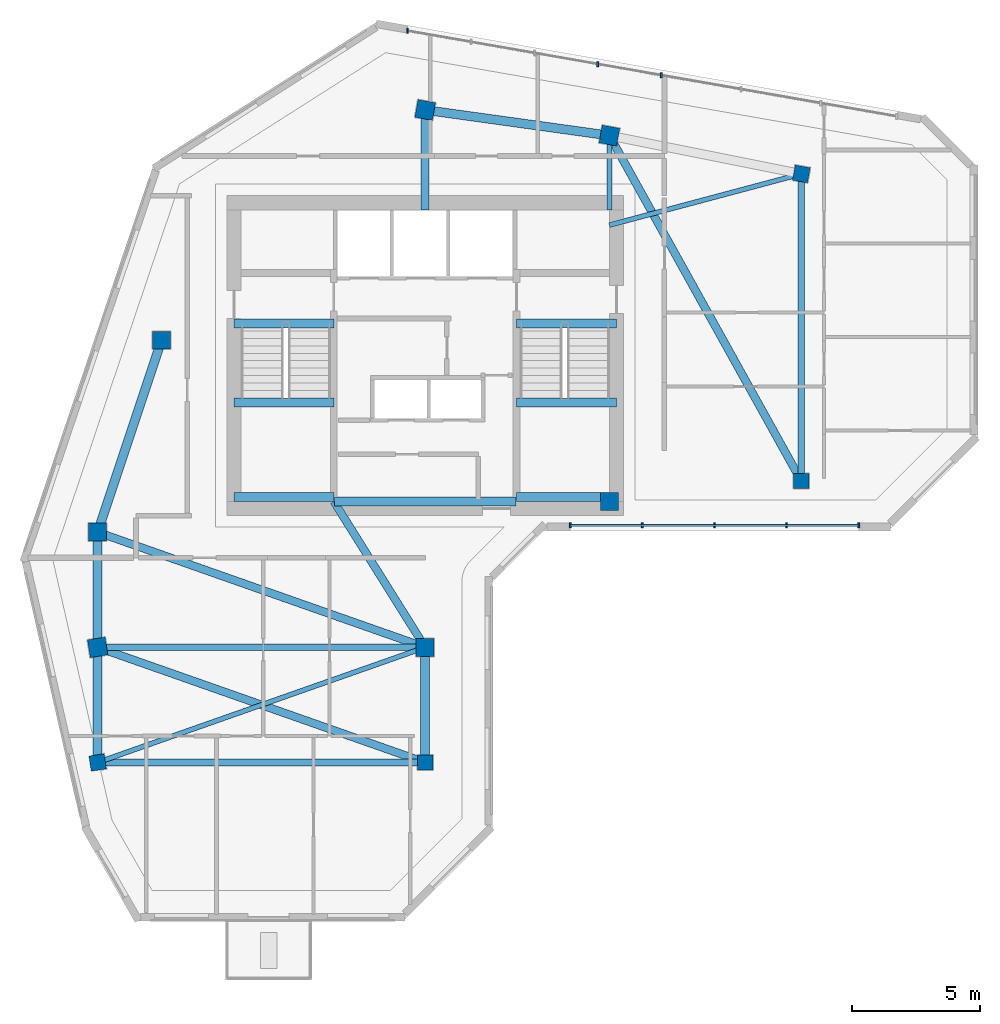
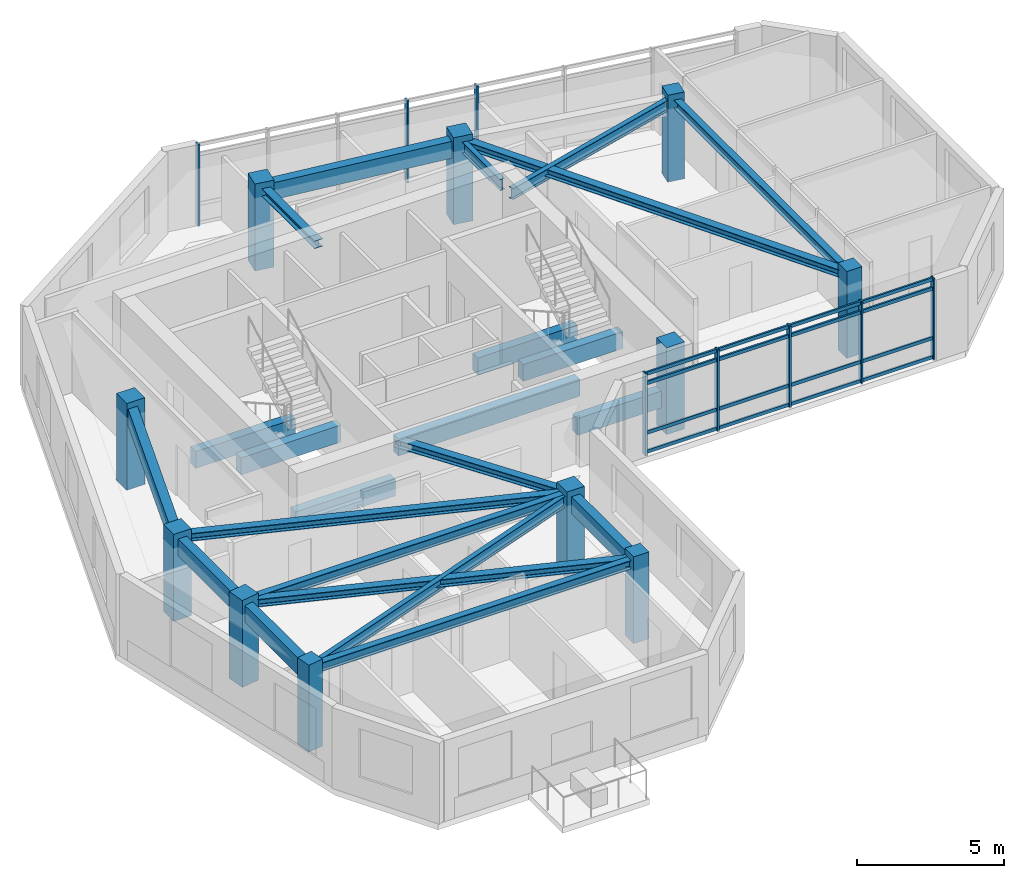
# One storey, part 1 of 10: 23 beams, 12 members, 11 columns, 2 elements without a shape of their own.
"""IFC4 building model written with IfcOpenShell, lengths in metres."""

from ifc_helpers import new_model, si_unit, direction, frame, origin, origin_2d, place, context, subcontext, project, spatial, rectangle, i_section, extrude, source, transform, mapped, material, material_profile, profile_set, type_object, element, aggregate, save


model = new_model("IFC4")

# Units and contexts
model_context = context("Model", 3, precision=1e-05, world=origin(), true_north=direction((0.0, 1.0)))
body_context = subcontext(model_context, "Body", "Model", "MODEL_VIEW")
ifc_project = project(units=[si_unit("LENGTHUNIT", "METRE"), si_unit("AREAUNIT", "SQUARE_METRE"), si_unit("VOLUMEUNIT", "CUBIC_METRE"), si_unit("PLANEANGLEUNIT", "RADIAN"), si_unit("MASSUNIT", "GRAM", prefix="KILO")], contexts=[model_context])

# Site, building, storey
site_placement = place(None, origin())
site = spatial("IfcSite", under=ifc_project, at=site_placement, CompositionType="ELEMENT")
building_placement = place(site_placement, origin())
building = spatial("IfcBuilding", under=site, at=building_placement, Name="Calvemar Wedge Station Tower", CompositionType="ELEMENT")
storey_placement = place(building_placement, frame((0.0, 0.0, 252.89990234375)))
storey = spatial("IfcBuildingStorey", under=building, at=storey_placement, Name="L64", CompositionType="ELEMENT", Elevation=252.89990234375)

# Columns
ifc_material_1 = material(Name="Concrete C50", Category="concrete")
ifc_material_profile_1 = material_profile(ifc_material_1, rectangle(XDim=0.699951171875, YDim=0.699951171875, at=origin_2d()), Name="RC700x700")
ifc_profile_set_1 = profile_set([ifc_material_profile_1], Name="Concrete C50")
column_type_1 = type_object("IfcColumnType", Name="COL-C7-700", PredefinedType="COLUMN", material=ifc_profile_set_1)
shared_shape_1 = source(origin(), body_context, "Body", "SweptSolid", [
    extrude(rectangle(XDim=0.699951171875, YDim=0.699951171875, at=origin_2d()), origin(), (0.0, 0.0, 1.0), 3.60009765625),
])
for number, where, z_axis, x_axis, name in (
    (1, (11.0, 33.0, 0.0), (0.0, 0.0, 1.0), (1.0, 0.0, 0.0), "Storey L64 Column T-NW1"),
    (2, (13.5, 40.5, 0.0), (0.0, 0.0, 1.0), (1.0, 0.0, 0.0), "Storey L64 Column T-NW2"),
    (3, (23.800048828125, 49.5, 0.0), (0.0, 0.0, 1.0), (0.984195607969, -0.17708474032, 0.0), "Storey L64 Column T-N1"),
    (4, (31.0, 48.5, 0.0), (0.0, 0.0, 1.0), (0.984195607969, -0.17708474032, 0.0), "Storey L64 Column T-N2"),
    (5, (31.0, 34.199951171875, 0.0), (0.0, 0.0, 1.0), (1.0, 0.0, 0.0), "Storey L64 Column T-NL1"),
    (6, (11.0, 28.5, 0.0), (0.0, 0.0, 1.0), (0.158158067254, -0.987413806751, 0.0), "Storey L64 Column T-SW1"),
    (7, (23.800048828125, 28.5, 0.0), (0.0, 0.0, 1.0), (1.0, 0.0, 0.0), "Storey L64 Column T-SE1"),
):
    element("IfcColumn", number, at=place(storey_placement, frame(where, z_axis=z_axis, x_axis=x_axis)), inside=storey, type_object=column_type_1, Name=name, PredefinedType="COLUMN", context=body_context, shape_type="MappedRepresentation", body=[
        mapped(shared_shape_1, transform((0.0, 0.0, 0.0), scale=1.0)),
    ])
ifc_material_profile_2 = material_profile(ifc_material_1, rectangle(XDim=0.60009765625, YDim=0.60009765625, at=origin_2d()), Name="RC600x600")
ifc_profile_set_2 = profile_set([ifc_material_profile_2], Name="Concrete C50")
column_type_2 = type_object("IfcColumnType", Name="COL-C8-600", PredefinedType="COLUMN", material=ifc_profile_set_2)
shared_shape_2 = source(origin(), body_context, "Body", "SweptSolid", [
    extrude(rectangle(XDim=0.60009765625, YDim=0.60009765625, at=origin_2d()), origin(), (0.0, 0.0, 1.0), 3.60009765625),
])
for number, where, z_axis, x_axis, name in (
    (8, (38.5, 47.0, 0.0), (0.0, 0.0, 1.0), (0.984195607969, -0.17708474032, 0.0), "Storey L64 Column T-NU3"),
    (9, (38.5, 35.0, 0.0), (0.0, 0.0, 1.0), (1.0, 0.0, 0.0), "Storey L64 Column T-NL2"),
    (10, (11.0, 24.0, 0.0), (0.0, 0.0, 1.0), (0.158158067254, -0.987413806751, 0.0), "Storey L64 Column T-SW2"),
    (11, (23.800048828125, 24.0, 0.0), (0.0, 0.0, 1.0), (1.0, 0.0, 0.0), "Storey L64 Column T-SE2"),
):
    element("IfcColumn", number, at=place(storey_placement, frame(where, z_axis=z_axis, x_axis=x_axis)), inside=storey, type_object=column_type_2, Name=name, PredefinedType="COLUMN", context=body_context, shape_type="MappedRepresentation", body=[
        mapped(shared_shape_2, transform((0.0, 0.0, 0.0), scale=1.0)),
    ])

# Beams
ifc_material_2 = material(Name="Concrete C70", Category="concrete")
ifc_material_profile_3 = material_profile(ifc_material_2, rectangle(XDim=0.35009765625, YDim=0.699951171875, at=origin_2d()), Name="RC350x700")
ifc_profile_set_3 = profile_set([ifc_material_profile_3], Name="Concrete C70")
beam_type_1 = type_object("IfcBeamType", Name="BM-LN1-700", PredefinedType="LINTEL", material=ifc_profile_set_3)
shared_shape_3 = source(origin(), body_context, "Body", "SweptSolid", [
    extrude(rectangle(XDim=0.35009765625, YDim=0.699951171875, at=origin_2d()), origin(), (0.0, 0.0, 1.0), 7.10009765625),
])
beam_1_placement = place(storey_placement, frame((20.25, 34.199951171875, 3.0), z_axis=(1.0, 0.0, 0.0), x_axis=(0.0, 1.0, 0.0)))
element("IfcBeam", 12, at=beam_1_placement, inside=storey, type_object=beam_type_1, Name="Storey L64 Core Coupling Lintel South", PredefinedType="LINTEL", context=body_context, shape_type="MappedRepresentation", body=[
    mapped(shared_shape_3, transform((0.0, 0.0, 0.0), scale=1.0)),
])
ifc_material_3 = material(Name="Structural steel ASTM A572 Grade 50", Category="steel")
ifc_material_profile_4 = material_profile(ifc_material_3, i_section(OverallWidth=0.30908203125, OverallDepth=0.322998046875, WebThickness=0.013916015625, FlangeThickness=0.02294921875, FilletRadius=0.014892578125, at=origin_2d()), Name="W310x143")
ifc_profile_set_4 = profile_set([ifc_material_profile_4], Name="Structural steel ASTM A572 Grade 50")
beam_type_2 = type_object("IfcBeamType", Name="BM-J5-W310H", PredefinedType="JOIST", material=ifc_profile_set_4)
shared_shape_4 = source(origin(), body_context, "Body", "SweptSolid", [
    extrude(i_section(OverallWidth=0.30908203125, OverallDepth=0.322998046875, WebThickness=0.013916015625, FlangeThickness=0.02294921875, FilletRadius=0.014892578125, at=origin_2d()), origin(), (0.0, 0.0, 1.0), 15.443359375),
])
beam_2_placement = place(storey_placement, frame((31.0, 48.5, 3.1884765625), z_axis=(0.485642931179, -0.874157276122, 0.0), x_axis=(0.874157276122, 0.485642931179, 0.0)))
element("IfcBeam", 13, at=beam_2_placement, inside=storey, type_object=beam_type_2, Name="Storey L64 Floor Beam T-N2-T-NL2", PredefinedType="JOIST", context=body_context, shape_type="MappedRepresentation", body=[
    mapped(shared_shape_4, transform((0.0, 0.0, 0.0), scale=1.0)),
])
shared_shape_5 = source(origin(), body_context, "Body", "SweptSolid", [
    extrude(i_section(OverallWidth=0.30908203125, OverallDepth=0.322998046875, WebThickness=0.013916015625, FlangeThickness=0.02294921875, FilletRadius=0.014892578125, at=origin_2d()), origin(), (0.0, 0.0, 1.0), 13.568115234375),
])
for number, where, z_axis, x_axis, name in (
    (14, (11.0, 33.0, 3.1884765625), (0.943398221169, -0.331662171939, 0.0), (0.331662171939, 0.943398221169, 0.0), "Storey L64 Floor Beam T-NW1-T-SE1"),
    (15, (11.0, 28.5, 3.1884765625), (0.943398221169, -0.331662171939, 0.0), (0.331662171939, 0.943398221169, 0.0), "Storey L64 Floor Beam T-SW1-T-SE2"),
):
    element("IfcBeam", number, at=place(storey_placement, frame(where, z_axis=z_axis, x_axis=x_axis)), inside=storey, type_object=beam_type_2, Name=name, PredefinedType="JOIST", context=body_context, shape_type="MappedRepresentation", body=[
        mapped(shared_shape_5, transform((0.0, 0.0, 0.0), scale=1.0)),
    ])
ifc_material_profile_5 = material_profile(ifc_material_3, i_section(OverallWidth=0.19189453125, OverallDepth=0.462890625, WebThickness=0.010498046875, FlangeThickness=0.017578125, FilletRadius=0.012939453125, at=origin_2d()), Name="W460x89")
ifc_profile_set_5 = profile_set([ifc_material_profile_5], Name="Structural steel ASTM A572 Grade 50")
beam_type_3 = type_object("IfcBeamType", Name="BM-J1-W460", PredefinedType="JOIST", material=ifc_profile_set_5)
shared_shape_6 = source(origin(), body_context, "Body", "SweptSolid", [
    extrude(i_section(OverallWidth=0.19189453125, OverallDepth=0.462890625, WebThickness=0.010498046875, FlangeThickness=0.017578125, FilletRadius=0.012939453125, at=origin_2d()), origin(), (0.0, 0.0, 1.0), 13.568115234375),
])
beam_3_placement = place(storey_placement, frame((23.800048828125, 28.5, 3.11865234375), z_axis=(-0.943398221169, -0.331662171939, 0.0), x_axis=(0.331662171939, -0.943398221169, 0.0)))
element("IfcBeam", 16, at=beam_3_placement, inside=storey, type_object=beam_type_3, Name="Storey L64 Floor Beam T-SE1-T-SW2", PredefinedType="JOIST", context=body_context, shape_type="MappedRepresentation", body=[
    mapped(shared_shape_6, transform((0.0, 0.0, 0.0), scale=1.0)),
])
shared_shape_7 = source(origin(), body_context, "Body", "SweptSolid", [
    extrude(i_section(OverallWidth=0.19189453125, OverallDepth=0.462890625, WebThickness=0.010498046875, FlangeThickness=0.017578125, FilletRadius=0.012939453125, at=origin_2d()), origin(), (0.0, 0.0, 1.0), 7.76220703125),
])
beam_4_placement = place(storey_placement, frame((31.0, 45.0, 3.11865234375), z_axis=(0.966234939601, 0.25766265056, 0.0), x_axis=(-0.25766265056, 0.966234939601, 0.0)))
element("IfcBeam", 17, at=beam_4_placement, inside=storey, type_object=beam_type_3, Name="Storey L64 Core-to-Column Joist CJ-E2", PredefinedType="JOIST", context=body_context, shape_type="MappedRepresentation", body=[
    mapped(shared_shape_7, transform((0.0, 0.0, 0.0), scale=1.0)),
])
shared_shape_8 = source(origin(), body_context, "Body", "SweptSolid", [
    extrude(i_section(OverallWidth=0.30908203125, OverallDepth=0.322998046875, WebThickness=0.013916015625, FlangeThickness=0.02294921875, FilletRadius=0.014892578125, at=origin_2d()), origin(), (0.0, 0.0, 1.0), 3.89990234375),
])
beam_5_placement = place(storey_placement, frame((23.800048828125, 45.60009765625, 3.1884765625), z_axis=(0.0, 1.0, 0.0), x_axis=(-1.0, 0.0, 0.0)))
element("IfcBeam", 18, at=beam_5_placement, inside=storey, type_object=beam_type_2, Name="Storey L64 Core-to-Column Joist CJ-N1", PredefinedType="JOIST", context=body_context, shape_type="MappedRepresentation", body=[
    mapped(shared_shape_8, transform((0.0, 0.0, 0.0), scale=1.0)),
])
shared_shape_9 = source(origin(), body_context, "Body", "SweptSolid", [
    extrude(i_section(OverallWidth=0.19189453125, OverallDepth=0.462890625, WebThickness=0.010498046875, FlangeThickness=0.017578125, FilletRadius=0.012939453125, at=origin_2d()), origin(), (0.0, 0.0, 1.0), 2.89990234375),
])
beam_6_placement = place(storey_placement, frame((31.0, 45.60009765625, 3.11865234375), z_axis=(0.0, 1.0, 0.0), x_axis=(-1.0, 0.0, 0.0)))
element("IfcBeam", 19, at=beam_6_placement, inside=storey, type_object=beam_type_3, Name="Storey L64 Core-to-Column Joist CJ-N2", PredefinedType="JOIST", context=body_context, shape_type="MappedRepresentation", body=[
    mapped(shared_shape_9, transform((0.0, 0.0, 0.0), scale=1.0)),
])
shared_shape_10 = source(origin(), body_context, "Body", "SweptSolid", [
    extrude(i_section(OverallWidth=0.30908203125, OverallDepth=0.322998046875, WebThickness=0.013916015625, FlangeThickness=0.02294921875, FilletRadius=0.014892578125, at=origin_2d()), origin(), (0.0, 0.0, 1.0), 6.7255859375),
])
beam_7_placement = place(storey_placement, frame((20.22998046875, 34.199951171875, 3.1884765625), z_axis=(0.530811158438, -0.847490126242, 0.0), x_axis=(0.847490126242, 0.530811158438, 0.0)))
element("IfcBeam", 20, at=beam_7_placement, inside=storey, type_object=beam_type_2, Name="Storey L64 Core-to-Column Joist CJ-S2", PredefinedType="JOIST", context=body_context, shape_type="MappedRepresentation", body=[
    mapped(shared_shape_10, transform((0.0, 0.0, 0.0), scale=1.0)),
])
ifc_material_profile_6 = material_profile(ifc_material_1, rectangle(XDim=0.35009765625, YDim=0.699951171875, at=origin_2d()), Name="RC350x700")
ifc_profile_set_6 = profile_set([ifc_material_profile_6], Name="Concrete C50")
beam_type_4 = type_object("IfcBeamType", Name="BM-SP2-700", PredefinedType="SPANDREL", material=ifc_profile_set_6)
shared_shape_11 = source(origin(), body_context, "Body", "SweptSolid", [
    extrude(rectangle(XDim=0.35009765625, YDim=0.699951171875, at=origin_2d()), origin(), (0.0, 0.0, 1.0), 7.90576171875),
])
beam_8_placement = place(storey_placement, frame((11.0, 33.0, 3.0), z_axis=(0.316227766017, 0.948683298051, 0.0), x_axis=(-0.948683298051, 0.316227766017, 0.0)))
element("IfcBeam", 21, at=beam_8_placement, inside=storey, type_object=beam_type_4, Name="Storey L64 Spandrel T-NW1-T-NW2", PredefinedType="SPANDREL", context=body_context, shape_type="MappedRepresentation", body=[
    mapped(shared_shape_11, transform((0.0, 0.0, 0.0), scale=1.0)),
])
shared_shape_12 = source(origin(), body_context, "Body", "SweptSolid", [
    extrude(rectangle(XDim=0.35009765625, YDim=0.699951171875, at=origin_2d()), origin(), (0.0, 0.0, 1.0), 7.26904296875),
])
beam_9_placement = place(storey_placement, frame((23.800048828125, 49.5, 3.0), z_axis=(0.990492146053, -0.13756928657, 0.0), x_axis=(0.13756928657, 0.990492146053, 0.0)))
element("IfcBeam", 22, at=beam_9_placement, inside=storey, type_object=beam_type_4, Name="Storey L64 Spandrel T-N1-T-N2", PredefinedType="SPANDREL", context=body_context, shape_type="MappedRepresentation", body=[
    mapped(shared_shape_12, transform((0.0, 0.0, 0.0), scale=1.0)),
])
shared_shape_13 = source(origin(), body_context, "Body", "SweptSolid", [
    extrude(rectangle(XDim=0.35009765625, YDim=0.699951171875, at=origin_2d()), origin(), (0.0, 0.0, 1.0), 4.5),
])
for number, where, z_axis, x_axis, name in (
    (23, (11.0, 33.0, 3.0), (0.0, -1.0, 0.0), (1.0, 0.0, 0.0), "Storey L64 Spandrel T-NW1-T-SW1"),
    (24, (11.0, 28.5, 3.0), (0.0, -1.0, 0.0), (1.0, 0.0, 0.0), "Storey L64 Spandrel T-SW1-T-SW2"),
    (25, (23.800048828125, 28.5, 3.0), (0.0, -1.0, 0.0), (1.0, 0.0, 0.0), "Storey L64 Spandrel T-SE1-T-SE2"),
):
    element("IfcBeam", number, at=place(storey_placement, frame(where, z_axis=z_axis, x_axis=x_axis)), inside=storey, type_object=beam_type_4, Name=name, PredefinedType="SPANDREL", context=body_context, shape_type="MappedRepresentation", body=[
        mapped(shared_shape_13, transform((0.0, 0.0, 0.0), scale=1.0)),
    ])
shared_shape_14 = source(origin(), body_context, "Body", "SweptSolid", [
    extrude(rectangle(XDim=0.35009765625, YDim=0.699951171875, at=origin_2d()), origin(), (0.0, 0.0, 1.0), 3.905029296875),
])
for number, where, z_axis, x_axis, name in (
    (26, (16.324951171875, 41.14990234375, -0.349853515625), (1.0, 0.0, 0.0), (0.0, 1.0, 0.0), "Storey L64 Stair ST-C1 Landing Trimmer Beam"),
    (27, (16.324951171875, 34.3798828125, 1.25), (1.0, 0.0, 0.0), (0.0, 1.0, 0.0), "Storey L64 Stair ST-C1 Half-Landing Beam 1A"),
    (28, (16.324951171875, 38.070068359375, 1.25), (1.0, 0.0, 0.0), (0.0, 1.0, 0.0), "Storey L64 Stair ST-C1 Half-Landing Beam 1B"),
):
    element("IfcBeam", number, at=place(storey_placement, frame(where, z_axis=z_axis, x_axis=x_axis)), inside=storey, type_object=beam_type_1, Name=name, PredefinedType="LINTEL", context=body_context, shape_type="MappedRepresentation", body=[
        mapped(shared_shape_14, transform((0.0, 0.0, 0.0), scale=1.0)),
    ])
shared_shape_15 = source(origin(), body_context, "Body", "SweptSolid", [
    extrude(rectangle(XDim=0.35009765625, YDim=0.699951171875, at=origin_2d()), origin(), (0.0, 0.0, 1.0), 3.90478515625),
])
for number, where, z_axis, x_axis, name in (
    (29, (27.3701171875, 41.14990234375, -0.349853515625), (1.0, 0.0, 0.0), (0.0, 1.0, 0.0), "Storey L64 Stair ST-C2 Landing Trimmer Beam"),
    (30, (27.3701171875, 34.3798828125, 1.25), (1.0, 0.0, 0.0), (0.0, 1.0, 0.0), "Storey L64 Stair ST-C2 Half-Landing Beam 1A"),
    (31, (27.3701171875, 38.070068359375, 1.25), (1.0, 0.0, 0.0), (0.0, 1.0, 0.0), "Storey L64 Stair ST-C2 Half-Landing Beam 1B"),
):
    element("IfcBeam", number, at=place(storey_placement, frame(where, z_axis=z_axis, x_axis=x_axis)), inside=storey, type_object=beam_type_1, Name=name, PredefinedType="LINTEL", context=body_context, shape_type="MappedRepresentation", body=[
        mapped(shared_shape_15, transform((0.0, 0.0, 0.0), scale=1.0)),
    ])
ifc_material_profile_7 = material_profile(ifc_material_3, i_section(OverallWidth=0.257080078125, OverallDepth=0.363037109375, WebThickness=0.012939453125, FlangeThickness=0.021728515625, FilletRadius=0.014892578125, at=origin_2d()), Name="W360x122")
ifc_profile_set_7 = profile_set([ifc_material_profile_7], Name="Structural steel ASTM A572 Grade 50")
beam_type_5 = type_object("IfcBeamType", Name="BM-J4-W360", PredefinedType="JOIST", material=ifc_profile_set_7)
shared_shape_16 = source(origin(), body_context, "Body", "SweptSolid", [
    extrude(i_section(OverallWidth=0.257080078125, OverallDepth=0.363037109375, WebThickness=0.012939453125, FlangeThickness=0.021728515625, FilletRadius=0.014892578125, at=origin_2d()), origin(), (0.0, 0.0, 1.0), 12.0),
])
beam_10_placement = place(storey_placement, frame((38.5, 47.0, 3.168701171875), z_axis=(0.0, -1.0, 0.0), x_axis=(1.0, 0.0, 0.0)))
element("IfcBeam", 32, at=beam_10_placement, inside=storey, type_object=beam_type_5, Name="Storey L64 Floor Beam T-NU3-T-NL2", PredefinedType="JOIST", context=body_context, shape_type="MappedRepresentation", body=[
    mapped(shared_shape_16, transform((0.0, 0.0, 0.0), scale=1.0)),
])
shared_shape_17 = source(origin(), body_context, "Body", "SweptSolid", [
    extrude(i_section(OverallWidth=0.257080078125, OverallDepth=0.363037109375, WebThickness=0.012939453125, FlangeThickness=0.021728515625, FilletRadius=0.014892578125, at=origin_2d()), origin(), (0.0, 0.0, 1.0), 12.800048828125),
])
for number, where, z_axis, x_axis, name in (
    (33, (11.0, 28.5, 3.168701171875), (1.0, 0.0, 0.0), (0.0, 1.0, 0.0), "Storey L64 Floor Beam T-SW1-T-SE1"),
    (34, (11.0, 24.0, 3.168701171875), (1.0, 0.0, 0.0), (0.0, 1.0, 0.0), "Storey L64 Floor Beam T-SW2-T-SE2"),
):
    element("IfcBeam", number, at=place(storey_placement, frame(where, z_axis=z_axis, x_axis=x_axis)), inside=storey, type_object=beam_type_5, Name=name, PredefinedType="JOIST", context=body_context, shape_type="MappedRepresentation", body=[
        mapped(shared_shape_17, transform((0.0, 0.0, 0.0), scale=1.0)),
    ])

# Curtain wall, members
ifc_material_4 = material(Name="Anodised aluminium 6063-T6", Category="aluminium")
curtain_wall_type = type_object("IfcCurtainWallType", Name="CW4", PredefinedType="NOTDEFINED", material=ifc_material_4)
curtain_wall_1_placement = place(storey_placement, origin())
curtain_wall_1 = element("IfcCurtainWall", 35, at=curtain_wall_1_placement, inside=storey, type_object=curtain_wall_type, Name="Storey L64 CW4 Recessed Unitised Curtain Wall 6", PredefinedType="NOTDEFINED")
ifc_material_profile_8 = material_profile(ifc_material_4, rectangle(XDim=0.070068359375, YDim=0.199951171875, at=origin_2d()), Name="AL-MUL-70x200")
ifc_profile_set_8 = profile_set([ifc_material_profile_8], Name="Anodised aluminium 6063-T6")
member_type_1 = type_object("IfcMemberType", Name="CW4-MUL", PredefinedType="MULLION", material=ifc_profile_set_8)
shared_shape_18 = source(origin(), body_context, "Body", "SweptSolid", [
    extrude(rectangle(XDim=0.070068359375, YDim=0.199951171875, at=origin_2d()), origin(), (0.0, 0.0, 1.0), 3.39990234375),
])
member_1_placement = place(storey_placement, frame((29.469970703125, 33.26611328125, -0.0498046875), z_axis=(0.0, 0.0, 1.0), x_axis=(1.0, 0.0, 0.0)))
member_1 = element("IfcMember", 36, at=member_1_placement, type_object=member_type_1, Name="CW4 mullion 1", PredefinedType="MULLION", context=body_context, shape_type="MappedRepresentation", body=[
    mapped(shared_shape_18, transform((0.0, 0.0, 0.0), scale=1.0)),
])
member_2_placement = place(storey_placement, frame((32.286865234375, 33.26611328125, -0.0498046875), z_axis=(0.0, 0.0, 1.0), x_axis=(1.0, 0.0, 0.0)))
member_2 = element("IfcMember", 37, at=member_2_placement, type_object=member_type_1, Name="CW4 mullion 2", PredefinedType="MULLION", context=body_context, shape_type="MappedRepresentation", body=[
    mapped(shared_shape_18, transform((0.0, 0.0, 0.0), scale=1.0)),
])
member_3_placement = place(storey_placement, frame((35.10400390625, 33.26611328125, -0.0498046875), z_axis=(0.0, 0.0, 1.0), x_axis=(1.0, 0.0, 0.0)))
member_3 = element("IfcMember", 38, at=member_3_placement, type_object=member_type_1, Name="CW4 mullion 3", PredefinedType="MULLION", context=body_context, shape_type="MappedRepresentation", body=[
    mapped(shared_shape_18, transform((0.0, 0.0, 0.0), scale=1.0)),
])
member_4_placement = place(storey_placement, frame((37.9208984375, 33.26611328125, -0.0498046875), z_axis=(0.0, 0.0, 1.0), x_axis=(1.0, 0.0, 0.0)))
member_4 = element("IfcMember", 39, at=member_4_placement, type_object=member_type_1, Name="CW4 mullion 4", PredefinedType="MULLION", context=body_context, shape_type="MappedRepresentation", body=[
    mapped(shared_shape_18, transform((0.0, 0.0, 0.0), scale=1.0)),
])
member_5_placement = place(storey_placement, frame((40.73779296875, 33.26611328125, -0.0498046875), z_axis=(0.0, 0.0, 1.0), x_axis=(1.0, 0.0, 0.0)))
member_5 = element("IfcMember", 40, at=member_5_placement, type_object=member_type_1, Name="CW4 mullion 5", PredefinedType="MULLION", context=body_context, shape_type="MappedRepresentation", body=[
    mapped(shared_shape_18, transform((0.0, 0.0, 0.0), scale=1.0)),
])

curtain_wall_2_placement = place(storey_placement, origin())
curtain_wall_2 = element("IfcCurtainWall", 41, at=curtain_wall_2_placement, inside=storey, type_object=curtain_wall_type, Name="Storey L64 CW4 Recessed Unitised Curtain Wall 10", PredefinedType="NOTDEFINED")
member_6_placement = place(storey_placement, frame((33.021484375, 50.8583984375, -0.0498046875), z_axis=(0.0, 0.0, 1.0), x_axis=(1.0, 0.0, 0.0)))
member_6 = element("IfcMember", 42, at=member_6_placement, type_object=member_type_1, Name="CW4 mullion 4", PredefinedType="MULLION", context=body_context, shape_type="MappedRepresentation", body=[
    mapped(shared_shape_18, transform((0.0, 0.0, 0.0), scale=1.0)),
])
member_7_placement = place(storey_placement, frame((30.546630859375, 51.29150390625, -0.0498046875), z_axis=(0.0, 0.0, 1.0), x_axis=(1.0, 0.0, 0.0)))
member_7 = element("IfcMember", 43, at=member_7_placement, type_object=member_type_1, Name="CW4 mullion 5", PredefinedType="MULLION", context=body_context, shape_type="MappedRepresentation", body=[
    mapped(shared_shape_18, transform((0.0, 0.0, 0.0), scale=1.0)),
])
member_8_placement = place(storey_placement, frame((23.104736328125, 52.593505859375, -0.0498046875), z_axis=(0.0, 0.0, 1.0), x_axis=(1.0, 0.0, 0.0)))
member_8 = element("IfcMember", 44, at=member_8_placement, type_object=member_type_1, Name="CW4 mullion 8", PredefinedType="MULLION", context=body_context, shape_type="MappedRepresentation", body=[
    mapped(shared_shape_18, transform((0.0, 0.0, 0.0), scale=1.0)),
])
aggregate(curtain_wall_2, [member_6, member_7, member_8])

# Member
ifc_material_profile_9 = material_profile(ifc_material_4, rectangle(XDim=0.070068359375, YDim=0.139892578125, at=origin_2d()), Name="AL-TRN-70x140")
ifc_profile_set_9 = profile_set([ifc_material_profile_9], Name="Anodised aluminium 6063-T6")
member_type_2 = type_object("IfcMemberType", Name="CW4-TRN", PredefinedType="USERDEFINED", material=ifc_profile_set_9)
shared_shape_19 = source(origin(), body_context, "Body", "SweptSolid", [
    extrude(rectangle(XDim=0.070068359375, YDim=0.139892578125, at=origin_2d()), origin(), (0.0, 0.0, 1.0), 11.267822265625),
])
member_9_placement = place(storey_placement, frame((29.469970703125, 33.26611328125, 0.06005859375), z_axis=(1.0, 0.0, 0.0), x_axis=(0.0, 1.0, 0.0)))
member_9 = element("IfcMember", 45, at=member_9_placement, type_object=member_type_2, Name="CW4 transom 1", ObjectType="TRANSOM", PredefinedType="USERDEFINED", context=body_context, shape_type="MappedRepresentation", body=[
    mapped(shared_shape_19, transform((0.0, 0.0, 0.0), scale=1.0)),
])

member_10_placement = place(storey_placement, frame((29.469970703125, 33.26611328125, 0.85009765625), z_axis=(1.0, 0.0, 0.0), x_axis=(0.0, 1.0, 0.0)))
member_10 = element("IfcMember", 46, at=member_10_placement, type_object=member_type_2, Name="CW4 transom 2", ObjectType="TRANSOM", PredefinedType="USERDEFINED", context=body_context, shape_type="MappedRepresentation", body=[
    mapped(shared_shape_19, transform((0.0, 0.0, 0.0), scale=1.0)),
])

member_11_placement = place(storey_placement, frame((29.469970703125, 33.26611328125, 2.900146484375), z_axis=(1.0, 0.0, 0.0), x_axis=(0.0, 1.0, 0.0)))
member_11 = element("IfcMember", 47, at=member_11_placement, type_object=member_type_2, Name="CW4 transom 3", ObjectType="TRANSOM", PredefinedType="USERDEFINED", context=body_context, shape_type="MappedRepresentation", body=[
    mapped(shared_shape_19, transform((0.0, 0.0, 0.0), scale=1.0)),
])

member_12_placement = place(storey_placement, frame((29.469970703125, 33.26611328125, 3.2900390625), z_axis=(1.0, 0.0, 0.0), x_axis=(0.0, 1.0, 0.0)))
member_12 = element("IfcMember", 48, at=member_12_placement, type_object=member_type_2, Name="CW4 transom 4", ObjectType="TRANSOM", PredefinedType="USERDEFINED", context=body_context, shape_type="MappedRepresentation", body=[
    mapped(shared_shape_19, transform((0.0, 0.0, 0.0), scale=1.0)),
])

aggregate(curtain_wall_1, [member_1, member_2, member_3, member_4, member_5, member_9, member_10, member_11, member_12])

save(model, "model.ifc")
